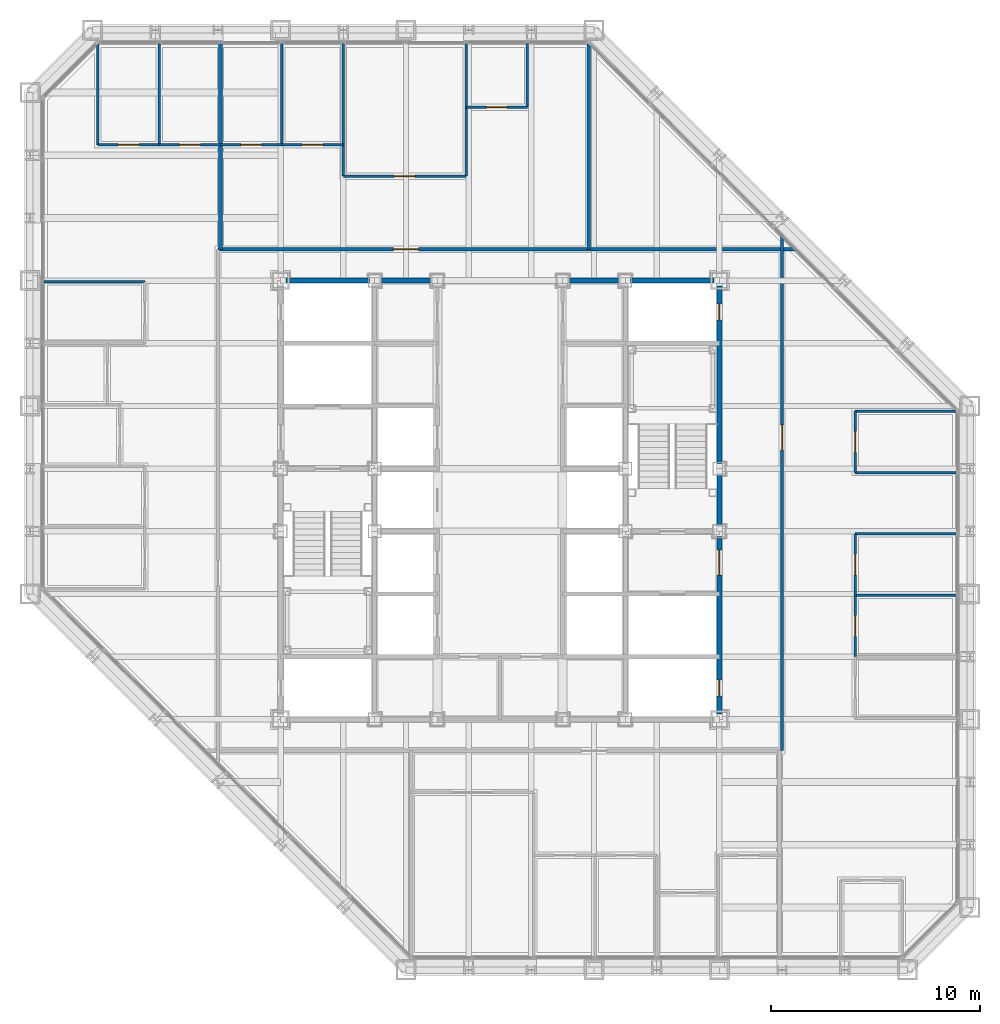
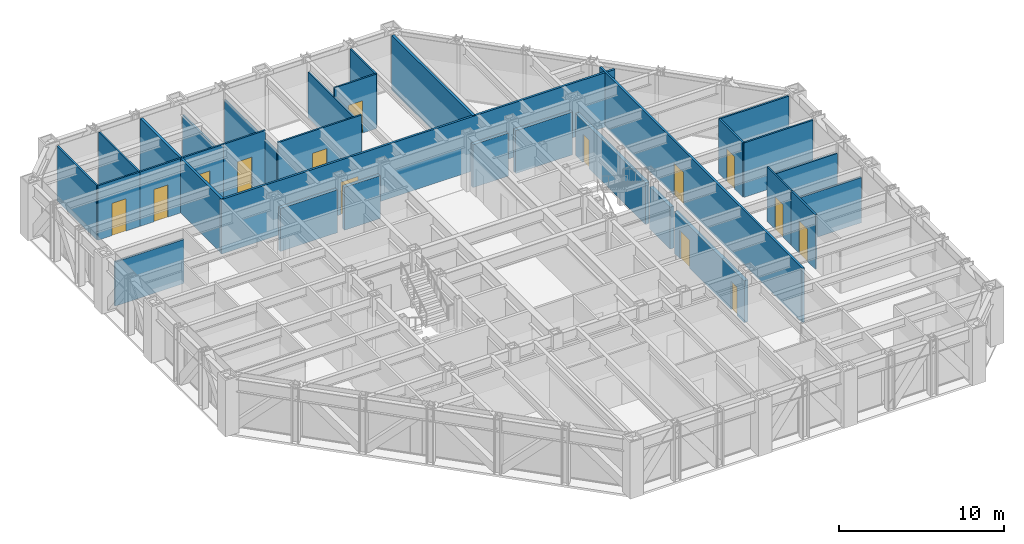
# One storey, part 12 of 16: 31 walls, 14 doors, 14 openings.
"""IFC4 building model written with IfcOpenShell, lengths in metres."""

from ifc_helpers import new_model, si_unit, direction, frame, frame_2d, origin, place, context, subcontext, project, spatial, rectangle, extrude, material, layer, layer_set, type_object, element, fill, save


model = new_model("IFC4")

# Units and contexts
model_context = context("Model", 3, precision=1e-05, world=origin(), true_north=direction((0.0, 1.0)))
body_context = subcontext(model_context, "Body", "Model", "MODEL_VIEW")
ifc_project = project(units=[si_unit("LENGTHUNIT", "METRE"), si_unit("AREAUNIT", "SQUARE_METRE"), si_unit("VOLUMEUNIT", "CUBIC_METRE"), si_unit("PLANEANGLEUNIT", "RADIAN"), si_unit("MASSUNIT", "GRAM", prefix="KILO")], contexts=[model_context])

# Site, building, storey
site_placement = place(None, origin())
site = spatial("IfcSite", under=ifc_project, at=site_placement, CompositionType="ELEMENT")
building_placement = place(site_placement, origin())
building = spatial("IfcBuilding", under=site, at=building_placement, Name="Chuquiago Exchange Tower", CompositionType="ELEMENT")
storey_placement = place(building_placement, frame((0.0, 0.0, 144.60009765625)))
storey = spatial("IfcBuildingStorey", under=building, at=storey_placement, Name="L31", CompositionType="ELEMENT", Elevation=144.60009765625)

# Walls
ifc_material_1 = material(Name="Concrete masonry, fully grouted", Category="masonry")
ifc_layer_1 = layer(ifc_material_1, 0.25)
ifc_layer_set_1 = layer_set([ifc_layer_1], Name="W1 core wall 250")
wall_type_1 = type_object("IfcWallType", Name="W1 core wall 250", PredefinedType="SOLIDWALL", material=ifc_layer_set_1)
wall_1_placement = place(storey_placement, frame((12.25, 33.0, 0.0), z_axis=(0.0, 0.0, 1.0), x_axis=(1.0, 0.0, 0.0)))
element("IfcWall", 1, at=wall_1_placement, inside=storey, type_object=wall_type_1, Name="CW-L31-11-0", PredefinedType="SOLIDWALL", context=body_context, shape_type="SweptSolid", body=[
    extrude(rectangle(XDim=4.0, YDim=0.25, at=frame_2d((2.0, 0.0))), origin(), (0.0, 0.0, 1.0), 3.181396484375),
])
for number, where, z_axis, x_axis, name in (
    (2, (16.75, 33.0, 0.0), (0.0, 0.0, 1.0), (1.0, 0.0, 0.0), "CW-L31-11-1"),
    (3, (25.75, 33.0, 0.0), (0.0, 0.0, 1.0), (1.0, 0.0, 0.0), "CW-L31-12-0"),
):
    element("IfcWall", number, at=place(storey_placement, frame(where, z_axis=z_axis, x_axis=x_axis)), inside=storey, type_object=wall_type_1, Name=name, PredefinedType="SOLIDWALL", context=body_context, shape_type="SweptSolid", body=[
        extrude(rectangle(XDim=2.5, YDim=0.25, at=frame_2d((1.25, 0.0))), origin(), (0.0, 0.0, 1.0), 3.181396484375),
    ])
wall_2_placement = place(storey_placement, frame((28.75, 33.0, 0.0), z_axis=(0.0, 0.0, 1.0), x_axis=(1.0, 0.0, 0.0)))
element("IfcWall", 4, at=wall_2_placement, inside=storey, type_object=wall_type_1, Name="CW-L31-12-1", PredefinedType="SOLIDWALL", context=body_context, shape_type="SweptSolid", body=[
    extrude(rectangle(XDim=4.0, YDim=0.25, at=frame_2d((2.0, 0.0))), origin(), (0.0, 0.0, 1.0), 3.181396484375),
])

# Wall, openings, doors
wall_3_placement = place(storey_placement, frame((33.0, 12.25, 0.0), z_axis=(0.0, 0.0, 1.0), x_axis=(0.0, 1.0, 0.0)))
wall_3 = element("IfcWall", 5, at=wall_3_placement, inside=storey, type_object=wall_type_1, Name="CW-L31-25-0", PredefinedType="SOLIDWALL", context=body_context, shape_type="SweptSolid", body=[
    extrude(rectangle(XDim=8.5, YDim=0.25, at=frame_2d((4.25, 0.0))), origin(), (0.0, 0.0, 1.0), 3.11279296875),
])
opening_1_placement = place(wall_3_placement, frame((6.64990234375, 0.0, 0.0)))
opening_1 = element("IfcOpeningElement", 6, at=opening_1_placement, cuts=wall_3, Name="Opening L31-004", PredefinedType="OPENING", context=body_context, shape_type="SweptSolid", body=[
    extrude(rectangle(XDim=1.199951171875, YDim=2.10009765625, at=frame_2d((0.60009765625, 1.050048828125))), frame((0.0, 0.135009765625, 0.0), z_axis=(0.0, -1.0, 0.0), x_axis=(1.0, 0.0, 0.0)), (0.0, 0.0, 1.0), 0.27001953125),
])
opening_2_placement = place(wall_3_placement, frame((0.875, 0.0, 0.0)))
opening_2 = element("IfcOpeningElement", 7, at=opening_2_placement, cuts=wall_3, Name="Opening L31-009", PredefinedType="OPENING", context=body_context, shape_type="SweptSolid", body=[
    extrude(rectangle(XDim=0.75, YDim=2.10009765625, at=frame_2d((0.375, 1.050048828125))), frame((0.0, 0.135009765625, 0.0), z_axis=(0.0, -1.0, 0.0), x_axis=(1.0, 0.0, 0.0)), (0.0, 0.0, 1.0), 0.27001953125),
])
ifc_material_2 = material(Name="Steel door, painted", Category="steel")
door_type_1 = type_object("IfcDoorType", Name="D5 firefighting lobby door 1200x2100", OperationType="SINGLE_SWING_LEFT", PredefinedType="DOOR", material=ifc_material_2)
door_1_placement = place(opening_1_placement, origin())
door_1 = element("IfcDoor", 8, at=door_1_placement, inside=storey, type_object=door_type_1, Name="Firefighting lobby 2 door", OperationType="SINGLE_SWING_RIGHT", OverallHeight=2.10009765625, OverallWidth=1.199951171875, PredefinedType="DOOR", context=body_context, shape_type="SweptSolid", body=[
    extrude(rectangle(XDim=1.199951171875, YDim=2.10009765625, at=frame_2d((0.60009765625, 1.050048828125))), frame((0.0, 0.02490234375, 0.0), z_axis=(0.0, -1.0, 0.0), x_axis=(1.0, 0.0, 0.0)), (0.0, 0.0, 1.0), 0.050048828125),
])
fill(opening_1, door_1)
ifc_material_3 = material(Name="Steel door, painted", Category="steel")
door_type_2 = type_object("IfcDoorType", Name="D6 riser access door 750x2100", OperationType="SINGLE_SWING_LEFT", PredefinedType="DOOR", material=ifc_material_3)
door_2_placement = place(opening_2_placement, frame((0.75, 0.0, 0.0), z_axis=(0.0, 0.0, 1.0), x_axis=(-1.0, 0.0, 0.0)))
door_2 = element("IfcDoor", 9, at=door_2_placement, inside=storey, type_object=door_type_2, Name="Riser RE1 door", OperationType="SINGLE_SWING_RIGHT", OverallHeight=2.10009765625, OverallWidth=0.75, PredefinedType="DOOR", context=body_context, shape_type="SweptSolid", body=[
    extrude(rectangle(XDim=0.75, YDim=2.10009765625, at=frame_2d((0.375, 1.050048828125))), frame((0.0, 0.02490234375, 0.0), z_axis=(0.0, -1.0, 0.0), x_axis=(1.0, 0.0, 0.0)), (0.0, 0.0, 1.0), 0.050048828125),
])
fill(opening_2, door_2)

# Wall
wall_4_placement = place(storey_placement, frame((33.0, 21.25, 0.0), z_axis=(0.0, 0.0, 1.0), x_axis=(0.0, 1.0, 0.0)))
element("IfcWall", 10, at=wall_4_placement, inside=storey, type_object=wall_type_1, Name="CW-L31-25-1", PredefinedType="SOLIDWALL", context=body_context, shape_type="SweptSolid", body=[
    extrude(rectangle(XDim=2.5, YDim=0.25, at=frame_2d((1.25, 0.0))), origin(), (0.0, 0.0, 1.0), 3.11279296875),
])

# Wall, opening, door
wall_5_placement = place(storey_placement, frame((33.0, 24.25, 0.0), z_axis=(0.0, 0.0, 1.0), x_axis=(0.0, 1.0, 0.0)))
wall_5 = element("IfcWall", 11, at=wall_5_placement, inside=storey, type_object=wall_type_1, Name="CW-L31-25-2", PredefinedType="SOLIDWALL", context=body_context, shape_type="SweptSolid", body=[
    extrude(rectangle(XDim=8.5, YDim=0.25, at=frame_2d((4.25, 0.0))), origin(), (0.0, 0.0, 1.0), 3.11279296875),
])
opening_3_placement = place(wall_5_placement, frame((6.875, 0.0, 0.0)))
opening_3 = element("IfcOpeningElement", 12, at=opening_3_placement, cuts=wall_5, Name="Opening L31-010", PredefinedType="OPENING", context=body_context, shape_type="SweptSolid", body=[
    extrude(rectangle(XDim=0.75, YDim=2.10009765625, at=frame_2d((0.375, 1.050048828125))), frame((0.0, 0.135009765625, 0.0), z_axis=(0.0, -1.0, 0.0), x_axis=(1.0, 0.0, 0.0)), (0.0, 0.0, 1.0), 0.27001953125),
])
door_3_placement = place(opening_3_placement, frame((0.75, 0.0, 0.0), z_axis=(0.0, 0.0, 1.0), x_axis=(-1.0, 0.0, 0.0)))
door_3 = element("IfcDoor", 13, at=door_3_placement, inside=storey, type_object=door_type_2, Name="Riser RE2 door", OperationType="SINGLE_SWING_LEFT", OverallHeight=2.10009765625, OverallWidth=0.75, PredefinedType="DOOR", context=body_context, shape_type="SweptSolid", body=[
    extrude(rectangle(XDim=0.75, YDim=2.10009765625, at=frame_2d((0.375, 1.050048828125))), frame((0.0, 0.02490234375, 0.0), z_axis=(0.0, -1.0, 0.0), x_axis=(1.0, 0.0, 0.0)), (0.0, 0.0, 1.0), 0.050048828125),
])
fill(opening_3, door_3)

ifc_material_4 = material(Name="Gypsum board on steel studs, acoustic insulation", Category="steel")
ifc_layer_2 = layer(ifc_material_4, 0.14990234375)
ifc_layer_set_2 = layer_set([ifc_layer_2], Name="W11 corridor wall 150")
wall_type_2 = type_object("IfcWallType", Name="W11 corridor wall 150", PredefinedType="PARTITIONING", material=ifc_layer_set_2)
wall_6_placement = place(storey_placement, frame((9.0, 34.5, 0.0), z_axis=(0.0, 0.0, 1.0), x_axis=(1.0, 0.0, 0.0)))
wall_6 = element("IfcWall", 14, at=wall_6_placement, inside=storey, type_object=wall_type_2, Name="PW-L31-CN", PredefinedType="PARTITIONING", context=body_context, shape_type="SweptSolid", body=[
    extrude(rectangle(XDim=27.614501953125, YDim=0.14990234375, at=frame_2d((13.80712890625, 0.0))), origin(), (0.0, 0.0, 1.0), 4.039794921875),
])
opening_4_placement = place(wall_6_placement, frame((8.39990234375, 0.0, 0.0)))
opening_4 = element("IfcOpeningElement", 15, at=opening_4_placement, cuts=wall_6, Name="Opening L31-043", PredefinedType="OPENING", context=body_context, shape_type="SweptSolid", body=[
    extrude(rectangle(XDim=1.199951171875, YDim=2.39990234375, at=frame_2d((0.60009765625, 1.199951171875))), frame((0.0, 0.0849609375, 0.0), z_axis=(0.0, -1.0, 0.0), x_axis=(1.0, 0.0, 0.0)), (0.0, 0.0, 1.0), 0.169921875),
])
ifc_material_5 = material(Name="Timber door, laminate faced", Category="wood")
door_type_3 = type_object("IfcDoorType", Name="D13 suite entrance door 1200x2400", OperationType="SINGLE_SWING_LEFT", PredefinedType="DOOR", material=ifc_material_5)
door_4_placement = place(opening_4_placement, origin())
door_4 = element("IfcDoor", 16, at=door_4_placement, inside=storey, type_object=door_type_3, Name="North suite entrance door", OperationType="SINGLE_SWING_LEFT", OverallHeight=2.39990234375, OverallWidth=1.199951171875, PredefinedType="DOOR", context=body_context, shape_type="SweptSolid", body=[
    extrude(rectangle(XDim=1.199951171875, YDim=2.39990234375, at=frame_2d((0.60009765625, 1.199951171875))), frame((0.0, 0.02490234375, 0.0), z_axis=(0.0, -1.0, 0.0), x_axis=(1.0, 0.0, 0.0)), (0.0, 0.0, 1.0), 0.050048828125),
])
fill(opening_4, door_4)

wall_7_placement = place(storey_placement, frame((36.0, 10.5, 0.0), z_axis=(0.0, 0.0, 1.0), x_axis=(0.0, 1.0, 0.0)))
wall_7 = element("IfcWall", 17, at=wall_7_placement, inside=storey, type_object=wall_type_2, Name="PW-L31-CE", PredefinedType="PARTITIONING", context=body_context, shape_type="SweptSolid", body=[
    extrude(rectangle(XDim=24.614501953125, YDim=0.14990234375, at=frame_2d((12.30712890625, 0.0))), origin(), (0.0, 0.0, 1.0), 4.039794921875),
])
opening_5_placement = place(wall_7_placement, frame((14.39990234375, 0.0, 0.0)))
opening_5 = element("IfcOpeningElement", 18, at=opening_5_placement, cuts=wall_7, Name="Opening L31-045", PredefinedType="OPENING", context=body_context, shape_type="SweptSolid", body=[
    extrude(rectangle(XDim=1.199951171875, YDim=2.39990234375, at=frame_2d((0.60009765625, 1.199951171875))), frame((0.0, 0.0849609375, 0.0), z_axis=(0.0, -1.0, 0.0), x_axis=(1.0, 0.0, 0.0)), (0.0, 0.0, 1.0), 0.169921875),
])
door_5_placement = place(opening_5_placement, frame((1.199951171875, 0.0, 0.0), z_axis=(0.0, 0.0, 1.0), x_axis=(-1.0, 0.0, 0.0)))
door_5 = element("IfcDoor", 19, at=door_5_placement, inside=storey, type_object=door_type_3, Name="East suite entrance door", OperationType="SINGLE_SWING_LEFT", OverallHeight=2.39990234375, OverallWidth=1.199951171875, PredefinedType="DOOR", context=body_context, shape_type="SweptSolid", body=[
    extrude(rectangle(XDim=1.199951171875, YDim=2.39990234375, at=frame_2d((0.60009765625, 1.199951171875))), frame((0.0, 0.02490234375, 0.0), z_axis=(0.0, -1.0, 0.0), x_axis=(1.0, 0.0, 0.0)), (0.0, 0.0, 1.0), 0.050048828125),
])
fill(opening_5, door_5)

# Walls
ifc_material_6 = material(Name="Gypsum board on twin steel studs, acoustic insulation", Category="steel")
ifc_layer_3 = layer(ifc_material_6, 0.175048828125)
ifc_layer_set_3 = layer_set([ifc_layer_3], Name="W12 tenant demising wall 175")
wall_type_3 = type_object("IfcWallType", Name="W12 tenant demising wall 175", PredefinedType="PARTITIONING", material=ifc_layer_set_3)
wall_8_placement = place(storey_placement, frame((9.124267578125, 44.347412109375, 0.0), z_axis=(0.0, 0.0, 1.0), x_axis=(0.0, -1.0, 0.0)))
element("IfcWall", 20, at=wall_8_placement, inside=storey, type_object=wall_type_3, Name="PW-L31-DN00912", PredefinedType="PARTITIONING", context=body_context, shape_type="SweptSolid", body=[
    extrude(rectangle(XDim=9.847412109375, YDim=0.175048828125, at=frame_2d((4.923828125, 0.0))), origin(), (0.0, 0.0, 1.0), 4.039794921875),
])
wall_9_placement = place(storey_placement, frame((26.75146484375, 44.333984375, 0.0), z_axis=(0.0, 0.0, 1.0), x_axis=(0.0, -1.0, 0.0)))
element("IfcWall", 21, at=wall_9_placement, inside=storey, type_object=wall_type_3, Name="PW-L31-DN02675", PredefinedType="PARTITIONING", context=body_context, shape_type="SweptSolid", body=[
    extrude(rectangle(XDim=9.833984375, YDim=0.175048828125, at=frame_2d((4.9169921875, 0.0))), origin(), (0.0, 0.0, 1.0), 4.039794921875),
])
ifc_material_7 = material(Name="Gypsum board on steel studs", Category="steel")
ifc_layer_4 = layer(ifc_material_7, 0.1201171875)
ifc_layer_set_4 = layer_set([ifc_layer_4], Name="W4 partition 120")
wall_type_4 = type_object("IfcWallType", Name="W4 partition 120", PredefinedType="PARTITIONING", material=ifc_layer_set_4)
for number, where, z_axis, x_axis, name in (
    (22, (44.347412109375, 17.93798828125, 0.0), (0.0, 0.0, 1.0), (-1.0, 0.0, 0.0), "PW-L31-E01794"),
    (23, (44.347412109375, 20.875732421875, 0.0), (0.0, 0.0, 1.0), (-1.0, 0.0, 0.0), "PW-L31-E02088"),
):
    element("IfcWall", number, at=place(storey_placement, frame(where, z_axis=z_axis, x_axis=x_axis)), inside=storey, type_object=wall_type_4, Name=name, PredefinedType="PARTITIONING", context=body_context, shape_type="SweptSolid", body=[
        extrude(rectangle(XDim=4.847412109375, YDim=0.1201171875, at=frame_2d((2.423828125, 0.0))), origin(), (0.0, 0.0, 1.0), 3.356689453125),
    ])
wall_10_placement = place(storey_placement, frame((44.347412109375, 23.813720703125, 0.0), z_axis=(0.0, 0.0, 1.0), x_axis=(-1.0, 0.0, 0.0)))
element("IfcWall", 24, at=wall_10_placement, inside=storey, type_object=wall_type_4, Name="PW-L31-E02381", PredefinedType="PARTITIONING", context=body_context, shape_type="SweptSolid", body=[
    extrude(rectangle(XDim=4.847412109375, YDim=0.1201171875, at=frame_2d((2.423828125, 0.0))), origin(), (0.0, 0.0, 1.0), 4.039794921875),
])
wall_11_placement = place(storey_placement, frame((44.333984375, 26.75146484375, 0.0), z_axis=(0.0, 0.0, 1.0), x_axis=(-1.0, 0.0, 0.0)))
element("IfcWall", 25, at=wall_11_placement, inside=storey, type_object=wall_type_4, Name="PW-L31-E02675", PredefinedType="PARTITIONING", context=body_context, shape_type="SweptSolid", body=[
    extrude(rectangle(XDim=4.833984375, YDim=0.1201171875, at=frame_2d((2.4169921875, 0.0))), origin(), (0.0, 0.0, 1.0), 4.039794921875),
])

# Wall, opening, door
wall_12_placement = place(storey_placement, frame((39.5, 15.0, 0.0), z_axis=(0.0, 0.0, 1.0), x_axis=(0.0, 1.0, 0.0)))
wall_12 = element("IfcWall", 26, at=wall_12_placement, inside=storey, type_object=wall_type_4, Name="PW-L31-EF01500", PredefinedType="PARTITIONING", context=body_context, shape_type="SweptSolid", body=[
    extrude(rectangle(XDim=2.93798828125, YDim=0.1201171875, at=frame_2d((1.468994140625, 0.0))), origin(), (0.0, 0.0, 1.0), 4.039794921875),
])
opening_6_placement = place(wall_12_placement, frame((0.968994140625, 0.0, 0.0)))
opening_6 = element("IfcOpeningElement", 27, at=opening_6_placement, cuts=wall_12, Name="Opening L31-028", PredefinedType="OPENING", context=body_context, shape_type="SweptSolid", body=[
    extrude(rectangle(XDim=1.0, YDim=2.39990234375, at=frame_2d((0.5, 1.199951171875))), frame((0.0, 0.070068359375, 0.0), z_axis=(0.0, -1.0, 0.0), x_axis=(1.0, 0.0, 0.0)), (0.0, 0.0, 1.0), 0.14013671875),
])
ifc_material_8 = material(Name="Timber door, laminate faced", Category="wood")
door_type_4 = type_object("IfcDoorType", Name="D9 room door 1000x2400", OperationType="SINGLE_SWING_LEFT", PredefinedType="DOOR", material=ifc_material_8)
door_6_placement = place(opening_6_placement, frame((1.0, 0.0, 0.0), z_axis=(0.0, 0.0, 1.0), x_axis=(-1.0, 0.0, 0.0)))
door_6 = element("IfcDoor", 28, at=door_6_placement, inside=storey, type_object=door_type_4, Name="Office door", OperationType="SINGLE_SWING_RIGHT", OverallHeight=2.39990234375, OverallWidth=1.0, PredefinedType="DOOR", context=body_context, shape_type="SweptSolid", body=[
    extrude(rectangle(XDim=1.0, YDim=2.39990234375, at=frame_2d((0.5, 1.199951171875))), frame((0.0, 0.02490234375, 0.0), z_axis=(0.0, -1.0, 0.0), x_axis=(1.0, 0.0, 0.0)), (0.0, 0.0, 1.0), 0.050048828125),
])
fill(opening_6, door_6)

wall_13_placement = place(storey_placement, frame((39.5, 17.93798828125, 0.0), z_axis=(0.0, 0.0, 1.0), x_axis=(0.0, 1.0, 0.0)))
wall_13 = element("IfcWall", 29, at=wall_13_placement, inside=storey, type_object=wall_type_4, Name="PW-L31-EF01794", PredefinedType="PARTITIONING", context=body_context, shape_type="SweptSolid", body=[
    extrude(rectangle(XDim=2.937744140625, YDim=0.1201171875, at=frame_2d((1.46875, 0.0))), origin(), (0.0, 0.0, 1.0), 4.039794921875),
])
opening_7_placement = place(wall_13_placement, frame((0.968994140625, 0.0, 0.0)))
opening_7 = element("IfcOpeningElement", 30, at=opening_7_placement, cuts=wall_13, Name="Opening L31-029", PredefinedType="OPENING", context=body_context, shape_type="SweptSolid", body=[
    extrude(rectangle(XDim=1.0, YDim=2.39990234375, at=frame_2d((0.5, 1.199951171875))), frame((0.0, 0.070068359375, 0.0), z_axis=(0.0, -1.0, 0.0), x_axis=(1.0, 0.0, 0.0)), (0.0, 0.0, 1.0), 0.14013671875),
])
ifc_material_9 = material(Name="Timber frame door, full height glazed panel", Category="wood")
door_type_5 = type_object("IfcDoorType", Name="D14 glazed meeting room door 1000x2400", OperationType="SINGLE_SWING_LEFT", PredefinedType="DOOR", material=ifc_material_9)
door_7_placement = place(opening_7_placement, frame((1.0, 0.0, 0.0), z_axis=(0.0, 0.0, 1.0), x_axis=(-1.0, 0.0, 0.0)))
door_7 = element("IfcDoor", 31, at=door_7_placement, inside=storey, type_object=door_type_5, Name="Meeting room door", OperationType="SINGLE_SWING_LEFT", OverallHeight=2.39990234375, OverallWidth=1.0, PredefinedType="DOOR", context=body_context, shape_type="SweptSolid", body=[
    extrude(rectangle(XDim=1.0, YDim=2.39990234375, at=frame_2d((0.5, 1.199951171875))), frame((0.0, 0.02490234375, 0.0), z_axis=(0.0, -1.0, 0.0), x_axis=(1.0, 0.0, 0.0)), (0.0, 0.0, 1.0), 0.050048828125),
])
fill(opening_7, door_7)

wall_14_placement = place(storey_placement, frame((39.5, 23.813720703125, 0.0), z_axis=(0.0, 0.0, 1.0), x_axis=(0.0, 1.0, 0.0)))
wall_14 = element("IfcWall", 32, at=wall_14_placement, inside=storey, type_object=wall_type_4, Name="PW-L31-EF02381", PredefinedType="PARTITIONING", context=body_context, shape_type="SweptSolid", body=[
    extrude(rectangle(XDim=2.937744140625, YDim=0.1201171875, at=frame_2d((1.46875, 0.0))), origin(), (0.0, 0.0, 1.0), 4.039794921875),
])
opening_8_placement = place(wall_14_placement, frame((0.968994140625, 0.0, 0.0)))
opening_8 = element("IfcOpeningElement", 33, at=opening_8_placement, cuts=wall_14, Name="Opening L31-030", PredefinedType="OPENING", context=body_context, shape_type="SweptSolid", body=[
    extrude(rectangle(XDim=1.0, YDim=2.39990234375, at=frame_2d((0.5, 1.199951171875))), frame((0.0, 0.070068359375, 0.0), z_axis=(0.0, -1.0, 0.0), x_axis=(1.0, 0.0, 0.0)), (0.0, 0.0, 1.0), 0.14013671875),
])
door_8_placement = place(opening_8_placement, frame((1.0, 0.0, 0.0), z_axis=(0.0, 0.0, 1.0), x_axis=(-1.0, 0.0, 0.0)))
door_8 = element("IfcDoor", 34, at=door_8_placement, inside=storey, type_object=door_type_4, Name="Office door", OperationType="SINGLE_SWING_RIGHT", OverallHeight=2.39990234375, OverallWidth=1.0, PredefinedType="DOOR", context=body_context, shape_type="SweptSolid", body=[
    extrude(rectangle(XDim=1.0, YDim=2.39990234375, at=frame_2d((0.5, 1.199951171875))), frame((0.0, 0.02490234375, 0.0), z_axis=(0.0, -1.0, 0.0), x_axis=(1.0, 0.0, 0.0)), (0.0, 0.0, 1.0), 0.050048828125),
])
fill(opening_8, door_8)

# Walls
wall_15_placement = place(storey_placement, frame((3.24853515625, 44.333984375, 0.0), z_axis=(0.0, 0.0, 1.0), x_axis=(0.0, -1.0, 0.0)))
element("IfcWall", 35, at=wall_15_placement, inside=storey, type_object=wall_type_4, Name="PW-L31-N00325", PredefinedType="PARTITIONING", context=body_context, shape_type="SweptSolid", body=[
    extrude(rectangle(XDim=4.833984375, YDim=0.1201171875, at=frame_2d((2.4169921875, 0.0))), origin(), (0.0, 0.0, 1.0), 4.039794921875),
])
wall_16_placement = place(storey_placement, frame((6.186279296875, 44.347412109375, 0.0), z_axis=(0.0, 0.0, 1.0), x_axis=(0.0, -1.0, 0.0)))
element("IfcWall", 36, at=wall_16_placement, inside=storey, type_object=wall_type_4, Name="PW-L31-N00619", PredefinedType="PARTITIONING", context=body_context, shape_type="SweptSolid", body=[
    extrude(rectangle(XDim=4.847412109375, YDim=0.1201171875, at=frame_2d((2.423828125, 0.0))), origin(), (0.0, 0.0, 1.0), 4.039794921875),
])
wall_17_placement = place(storey_placement, frame((12.06201171875, 44.347412109375, 0.0), z_axis=(0.0, 0.0, 1.0), x_axis=(0.0, -1.0, 0.0)))
element("IfcWall", 37, at=wall_17_placement, inside=storey, type_object=wall_type_4, Name="PW-L31-N01206", PredefinedType="PARTITIONING", context=body_context, shape_type="SweptSolid", body=[
    extrude(rectangle(XDim=4.847412109375, YDim=0.1201171875, at=frame_2d((2.423828125, 0.0))), origin(), (0.0, 0.0, 1.0), 3.270263671875),
])
for number, where, z_axis, x_axis, name in (
    (38, (15.0, 44.347412109375, 0.0), (0.0, 0.0, 1.0), (0.0, -1.0, 0.0), "PW-L31-N01500"),
    (39, (20.875732421875, 44.347412109375, 0.0), (0.0, 0.0, 1.0), (0.0, -1.0, 0.0), "PW-L31-N02088"),
):
    element("IfcWall", number, at=place(storey_placement, frame(where, z_axis=z_axis, x_axis=x_axis)), inside=storey, type_object=wall_type_4, Name=name, PredefinedType="PARTITIONING", context=body_context, shape_type="SweptSolid", body=[
        extrude(rectangle(XDim=6.347412109375, YDim=0.1201171875, at=frame_2d((3.173828125, 0.0))), origin(), (0.0, 0.0, 1.0), 3.356689453125),
    ])
wall_18_placement = place(storey_placement, frame((23.813720703125, 44.347412109375, 0.0), z_axis=(0.0, 0.0, 1.0), x_axis=(0.0, -1.0, 0.0)))
element("IfcWall", 40, at=wall_18_placement, inside=storey, type_object=wall_type_4, Name="PW-L31-N02381", PredefinedType="PARTITIONING", context=body_context, shape_type="SweptSolid", body=[
    extrude(rectangle(XDim=3.04736328125, YDim=0.1201171875, at=frame_2d((1.523681640625, 0.0))), origin(), (0.0, 0.0, 1.0), 4.039794921875),
])

# Wall, opening, door
wall_19_placement = place(storey_placement, frame((3.24853515625, 39.5, 0.0), z_axis=(0.0, 0.0, 1.0), x_axis=(1.0, 0.0, 0.0)))
wall_19 = element("IfcWall", 41, at=wall_19_placement, inside=storey, type_object=wall_type_4, Name="PW-L31-NF00325", PredefinedType="PARTITIONING", context=body_context, shape_type="SweptSolid", body=[
    extrude(rectangle(XDim=2.937744140625, YDim=0.1201171875, at=frame_2d((1.46875, 0.0))), origin(), (0.0, 0.0, 1.0), 4.039794921875),
])
opening_9_placement = place(wall_19_placement, frame((0.968994140625, 0.0, 0.0)))
opening_9 = element("IfcOpeningElement", 42, at=opening_9_placement, cuts=wall_19, Name="Opening L31-031", PredefinedType="OPENING", context=body_context, shape_type="SweptSolid", body=[
    extrude(rectangle(XDim=1.0, YDim=2.39990234375, at=frame_2d((0.5, 1.199951171875))), frame((0.0, 0.070068359375, 0.0), z_axis=(0.0, -1.0, 0.0), x_axis=(1.0, 0.0, 0.0)), (0.0, 0.0, 1.0), 0.14013671875),
])
door_9_placement = place(opening_9_placement, origin())
door_9 = element("IfcDoor", 43, at=door_9_placement, inside=storey, type_object=door_type_4, Name="Office door", OperationType="SINGLE_SWING_LEFT", OverallHeight=2.39990234375, OverallWidth=1.0, PredefinedType="DOOR", context=body_context, shape_type="SweptSolid", body=[
    extrude(rectangle(XDim=1.0, YDim=2.39990234375, at=frame_2d((0.5, 1.199951171875))), frame((0.0, 0.02490234375, 0.0), z_axis=(0.0, -1.0, 0.0), x_axis=(1.0, 0.0, 0.0)), (0.0, 0.0, 1.0), 0.050048828125),
])
fill(opening_9, door_9)

wall_20_placement = place(storey_placement, frame((6.186279296875, 39.5, 0.0), z_axis=(0.0, 0.0, 1.0), x_axis=(1.0, 0.0, 0.0)))
wall_20 = element("IfcWall", 44, at=wall_20_placement, inside=storey, type_object=wall_type_4, Name="PW-L31-NF00619", PredefinedType="PARTITIONING", context=body_context, shape_type="SweptSolid", body=[
    extrude(rectangle(XDim=2.93798828125, YDim=0.1201171875, at=frame_2d((1.468994140625, 0.0))), origin(), (0.0, 0.0, 1.0), 4.039794921875),
])
opening_10_placement = place(wall_20_placement, frame((0.968994140625, 0.0, 0.0)))
opening_10 = element("IfcOpeningElement", 45, at=opening_10_placement, cuts=wall_20, Name="Opening L31-032", PredefinedType="OPENING", context=body_context, shape_type="SweptSolid", body=[
    extrude(rectangle(XDim=1.0, YDim=2.39990234375, at=frame_2d((0.5, 1.199951171875))), frame((0.0, 0.070068359375, 0.0), z_axis=(0.0, -1.0, 0.0), x_axis=(1.0, 0.0, 0.0)), (0.0, 0.0, 1.0), 0.14013671875),
])
door_10_placement = place(opening_10_placement, origin())
door_10 = element("IfcDoor", 46, at=door_10_placement, inside=storey, type_object=door_type_4, Name="Office door", OperationType="SINGLE_SWING_RIGHT", OverallHeight=2.39990234375, OverallWidth=1.0, PredefinedType="DOOR", context=body_context, shape_type="SweptSolid", body=[
    extrude(rectangle(XDim=1.0, YDim=2.39990234375, at=frame_2d((0.5, 1.199951171875))), frame((0.0, 0.02490234375, 0.0), z_axis=(0.0, -1.0, 0.0), x_axis=(1.0, 0.0, 0.0)), (0.0, 0.0, 1.0), 0.050048828125),
])
fill(opening_10, door_10)

wall_21_placement = place(storey_placement, frame((9.124267578125, 39.5, 0.0), z_axis=(0.0, 0.0, 1.0), x_axis=(1.0, 0.0, 0.0)))
wall_21 = element("IfcWall", 47, at=wall_21_placement, inside=storey, type_object=wall_type_4, Name="PW-L31-NF00912", PredefinedType="PARTITIONING", context=body_context, shape_type="SweptSolid", body=[
    extrude(rectangle(XDim=2.937744140625, YDim=0.1201171875, at=frame_2d((1.46875, 0.0))), origin(), (0.0, 0.0, 1.0), 4.039794921875),
])
opening_11_placement = place(wall_21_placement, frame((0.968994140625, 0.0, 0.0)))
opening_11 = element("IfcOpeningElement", 48, at=opening_11_placement, cuts=wall_21, Name="Opening L31-033", PredefinedType="OPENING", context=body_context, shape_type="SweptSolid", body=[
    extrude(rectangle(XDim=1.0, YDim=2.39990234375, at=frame_2d((0.5, 1.199951171875))), frame((0.0, 0.070068359375, 0.0), z_axis=(0.0, -1.0, 0.0), x_axis=(1.0, 0.0, 0.0)), (0.0, 0.0, 1.0), 0.14013671875),
])
door_11_placement = place(opening_11_placement, origin())
door_11 = element("IfcDoor", 49, at=door_11_placement, inside=storey, type_object=door_type_4, Name="Office door", OperationType="SINGLE_SWING_LEFT", OverallHeight=2.39990234375, OverallWidth=1.0, PredefinedType="DOOR", context=body_context, shape_type="SweptSolid", body=[
    extrude(rectangle(XDim=1.0, YDim=2.39990234375, at=frame_2d((0.5, 1.199951171875))), frame((0.0, 0.02490234375, 0.0), z_axis=(0.0, -1.0, 0.0), x_axis=(1.0, 0.0, 0.0)), (0.0, 0.0, 1.0), 0.050048828125),
])
fill(opening_11, door_11)

wall_22_placement = place(storey_placement, frame((12.06201171875, 39.5, 0.0), z_axis=(0.0, 0.0, 1.0), x_axis=(1.0, 0.0, 0.0)))
wall_22 = element("IfcWall", 50, at=wall_22_placement, inside=storey, type_object=wall_type_4, Name="PW-L31-NF01206", PredefinedType="PARTITIONING", context=body_context, shape_type="SweptSolid", body=[
    extrude(rectangle(XDim=2.93798828125, YDim=0.1201171875, at=frame_2d((1.468994140625, 0.0))), origin(), (0.0, 0.0, 1.0), 4.039794921875),
])
opening_12_placement = place(wall_22_placement, frame((0.968994140625, 0.0, 0.0)))
opening_12 = element("IfcOpeningElement", 51, at=opening_12_placement, cuts=wall_22, Name="Opening L31-034", PredefinedType="OPENING", context=body_context, shape_type="SweptSolid", body=[
    extrude(rectangle(XDim=1.0, YDim=2.39990234375, at=frame_2d((0.5, 1.199951171875))), frame((0.0, 0.070068359375, 0.0), z_axis=(0.0, -1.0, 0.0), x_axis=(1.0, 0.0, 0.0)), (0.0, 0.0, 1.0), 0.14013671875),
])
door_12_placement = place(opening_12_placement, origin())
door_12 = element("IfcDoor", 52, at=door_12_placement, inside=storey, type_object=door_type_4, Name="Office door", OperationType="SINGLE_SWING_RIGHT", OverallHeight=2.39990234375, OverallWidth=1.0, PredefinedType="DOOR", context=body_context, shape_type="SweptSolid", body=[
    extrude(rectangle(XDim=1.0, YDim=2.39990234375, at=frame_2d((0.5, 1.199951171875))), frame((0.0, 0.02490234375, 0.0), z_axis=(0.0, -1.0, 0.0), x_axis=(1.0, 0.0, 0.0)), (0.0, 0.0, 1.0), 0.050048828125),
])
fill(opening_12, door_12)

wall_23_placement = place(storey_placement, frame((15.0, 38.0, 0.0), z_axis=(0.0, 0.0, 1.0), x_axis=(1.0, 0.0, 0.0)))
wall_23 = element("IfcWall", 53, at=wall_23_placement, inside=storey, type_object=wall_type_4, Name="PW-L31-NF01500", PredefinedType="PARTITIONING", context=body_context, shape_type="SweptSolid", body=[
    extrude(rectangle(XDim=5.875732421875, YDim=0.1201171875, at=frame_2d((2.93798828125, 0.0))), origin(), (0.0, 0.0, 1.0), 4.039794921875),
])
opening_13_placement = place(wall_23_placement, frame((2.437744140625, 0.0, 0.0)))
opening_13 = element("IfcOpeningElement", 54, at=opening_13_placement, cuts=wall_23, Name="Opening L31-035", PredefinedType="OPENING", context=body_context, shape_type="SweptSolid", body=[
    extrude(rectangle(XDim=1.0, YDim=2.39990234375, at=frame_2d((0.5, 1.199951171875))), frame((0.0, 0.070068359375, 0.0), z_axis=(0.0, -1.0, 0.0), x_axis=(1.0, 0.0, 0.0)), (0.0, 0.0, 1.0), 0.14013671875),
])
door_13_placement = place(opening_13_placement, origin())
door_13 = element("IfcDoor", 55, at=door_13_placement, inside=storey, type_object=door_type_5, Name="Conference room door", OperationType="SINGLE_SWING_LEFT", OverallHeight=2.39990234375, OverallWidth=1.0, PredefinedType="DOOR", context=body_context, shape_type="SweptSolid", body=[
    extrude(rectangle(XDim=1.0, YDim=2.39990234375, at=frame_2d((0.5, 1.199951171875))), frame((0.0, 0.02490234375, 0.0), z_axis=(0.0, -1.0, 0.0), x_axis=(1.0, 0.0, 0.0)), (0.0, 0.0, 1.0), 0.050048828125),
])
fill(opening_13, door_13)

wall_24_placement = place(storey_placement, frame((20.875732421875, 41.300048828125, 0.0), z_axis=(0.0, 0.0, 1.0), x_axis=(1.0, 0.0, 0.0)))
wall_24 = element("IfcWall", 56, at=wall_24_placement, inside=storey, type_object=wall_type_4, Name="PW-L31-NF02088", PredefinedType="PARTITIONING", context=body_context, shape_type="SweptSolid", body=[
    extrude(rectangle(XDim=2.93798828125, YDim=0.1201171875, at=frame_2d((1.468994140625, 0.0))), origin(), (0.0, 0.0, 1.0), 4.039794921875),
])
opening_14_placement = place(wall_24_placement, frame((0.968994140625, 0.0, 0.0)))
opening_14 = element("IfcOpeningElement", 57, at=opening_14_placement, cuts=wall_24, Name="Opening L31-036", PredefinedType="OPENING", context=body_context, shape_type="SweptSolid", body=[
    extrude(rectangle(XDim=1.0, YDim=2.39990234375, at=frame_2d((0.5, 1.199951171875))), frame((0.0, 0.070068359375, 0.0), z_axis=(0.0, -1.0, 0.0), x_axis=(1.0, 0.0, 0.0)), (0.0, 0.0, 1.0), 0.14013671875),
])
door_14_placement = place(opening_14_placement, origin())
door_14 = element("IfcDoor", 58, at=door_14_placement, inside=storey, type_object=door_type_5, Name="Focus room door", OperationType="SINGLE_SWING_RIGHT", OverallHeight=2.39990234375, OverallWidth=1.0, PredefinedType="DOOR", context=body_context, shape_type="SweptSolid", body=[
    extrude(rectangle(XDim=1.0, YDim=2.39990234375, at=frame_2d((0.5, 1.199951171875))), frame((0.0, 0.02490234375, 0.0), z_axis=(0.0, -1.0, 0.0), x_axis=(1.0, 0.0, 0.0)), (0.0, 0.0, 1.0), 0.050048828125),
])
fill(opening_14, door_14)

# Wall
wall_25_placement = place(storey_placement, frame((0.652587890625, 32.93798828125, 0.0), z_axis=(0.0, 0.0, 1.0), x_axis=(1.0, 0.0, 0.0)))
element("IfcWall", 59, at=wall_25_placement, inside=storey, type_object=wall_type_4, Name="PW-L31-W03294", PredefinedType="PARTITIONING", context=body_context, shape_type="SweptSolid", body=[
    extrude(rectangle(XDim=4.847412109375, YDim=0.1201171875, at=frame_2d((2.423828125, 0.0))), origin(), (0.0, 0.0, 1.0), 3.270263671875),
])

save(model, "model.ifc")
